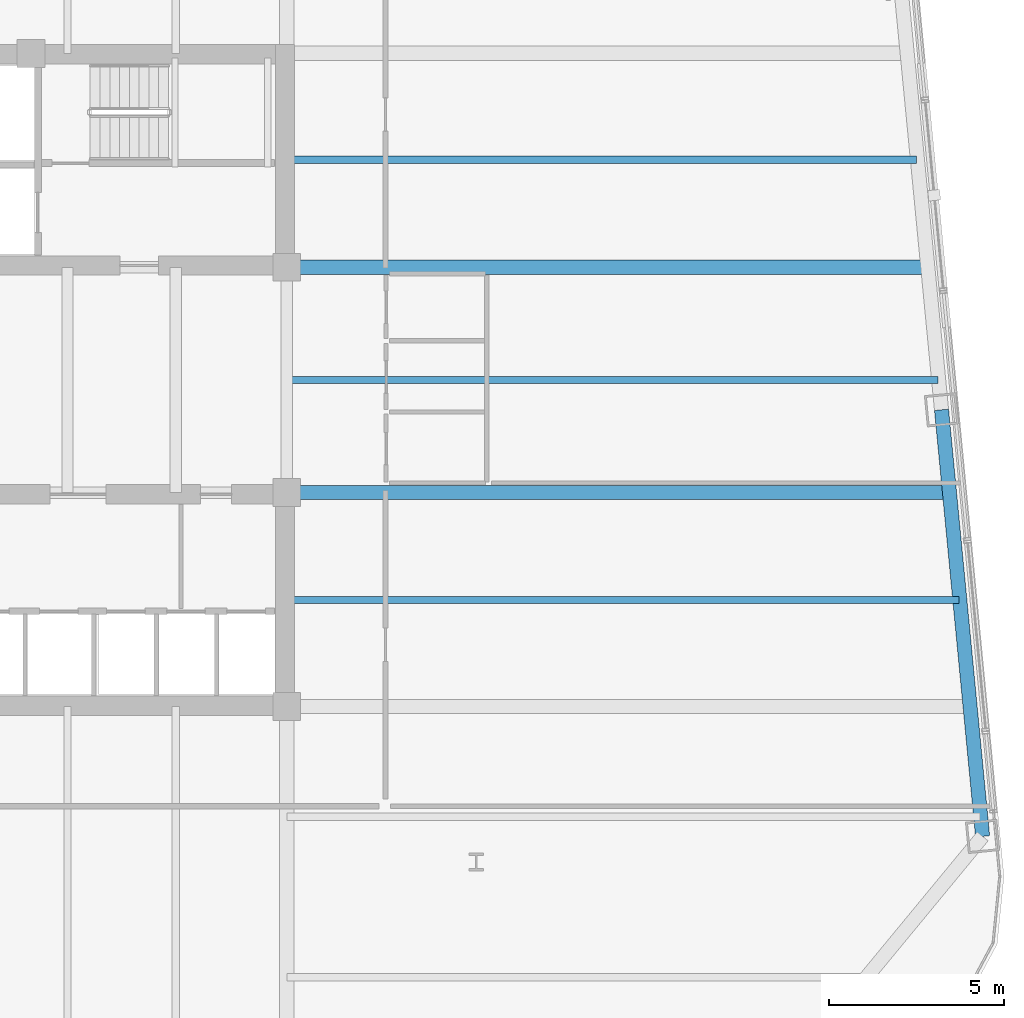
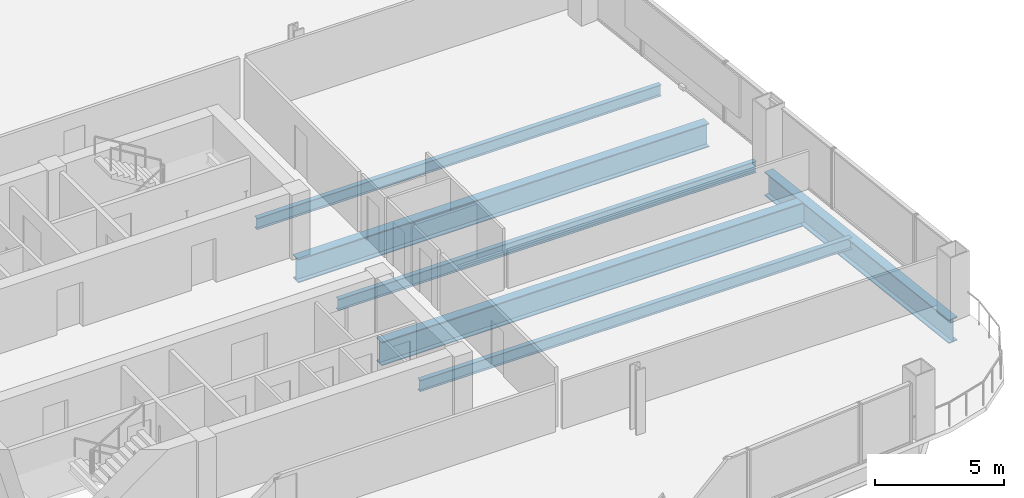
# One storey, part 12 of 26: 6 beams.
"""IFC4 building model written with IfcOpenShell, lengths in metres."""

from ifc_helpers import new_model, si_unit, direction, frame, origin, origin_2d, place, context, subcontext, project, spatial, i_section, extrude, material, material_profile, profile_set, type_object, element, save


model = new_model("IFC4")

# Units and contexts
model_context = context("Model", 3, precision=1e-05, world=origin(), true_north=direction((0.0, 1.0)))
body_context = subcontext(model_context, "Body", "Model", "MODEL_VIEW")
ifc_project = project(units=[si_unit("LENGTHUNIT", "METRE"), si_unit("AREAUNIT", "SQUARE_METRE"), si_unit("VOLUMEUNIT", "CUBIC_METRE"), si_unit("PLANEANGLEUNIT", "RADIAN"), si_unit("MASSUNIT", "GRAM", prefix="KILO")], contexts=[model_context])

# Site, building, storey
site_placement = place(None, origin())
site = spatial("IfcSite", under=ifc_project, at=site_placement, CompositionType="ELEMENT")
building_placement = place(site_placement, origin())
building = spatial("IfcBuilding", under=site, at=building_placement, Name="Qhalaya Broadcast Tower", CompositionType="ELEMENT")
storey_placement = place(building_placement, frame((0.0, 0.0, 72.5)))
storey = spatial("IfcBuildingStorey", under=building, at=storey_placement, Name="L20", CompositionType="ELEMENT", Elevation=72.5)

# Beams
ifc_material = material(Name="Structural Steel ASTM A992 Grade 50", Category="steel")
ifc_material_profile_1 = material_profile(ifc_material, i_section(OverallWidth=0.2099609375, OverallDepth=0.535888671875, WebThickness=0.010986328125, FlangeThickness=0.017333984375, at=origin_2d()), Name="W21X68")
ifc_profile_set_1 = profile_set([ifc_material_profile_1], Name="Structural Steel ASTM A992 Grade 50")
beam_type_1 = type_object("IfcBeamType", Name="Composite Floor Joist J02", PredefinedType="JOIST", material=ifc_profile_set_1)
beam_1_placement = place(storey_placement, frame((9.375, -5.699951171875, -0.488037109375), z_axis=(1.0, 0.0, 0.0), x_axis=(0.0, 1.0, 0.0)))
element("IfcBeam", 1, at=beam_1_placement, inside=storey, type_object=beam_type_1, Name="L20 J02 L20-JWE3E-1", PredefinedType="JOIST", context=body_context, shape_type="SweptSolid", body=[
    extrude(i_section(OverallWidth=0.2099609375, OverallDepth=0.535888671875, WebThickness=0.010986328125, FlangeThickness=0.017333984375, at=origin_2d()), origin(), (0.0, 0.0, 1.0), 19.24609375),
])
beam_2_placement = place(storey_placement, frame((9.375, 0.60009765625, -0.488037109375), z_axis=(1.0, 0.0, 0.0), x_axis=(0.0, 1.0, 0.0)))
element("IfcBeam", 2, at=beam_2_placement, inside=storey, type_object=beam_type_1, Name="L20 J02 L20-JWE4E-1", PredefinedType="JOIST", context=body_context, shape_type="SweptSolid", body=[
    extrude(i_section(OverallWidth=0.2099609375, OverallDepth=0.535888671875, WebThickness=0.010986328125, FlangeThickness=0.017333984375, at=origin_2d()), origin(), (0.0, 0.0, 1.0), 18.639404296875),
])
beam_3_placement = place(storey_placement, frame((9.375, 6.89990234375, -0.488037109375), z_axis=(1.0, 0.0, 0.0), x_axis=(0.0, 1.0, 0.0)))
element("IfcBeam", 3, at=beam_3_placement, inside=storey, type_object=beam_type_1, Name="L20 J02 L20-JWE5E-1", PredefinedType="JOIST", context=body_context, shape_type="SweptSolid", body=[
    extrude(i_section(OverallWidth=0.2099609375, OverallDepth=0.535888671875, WebThickness=0.010986328125, FlangeThickness=0.017333984375, at=origin_2d()), origin(), (0.0, 0.0, 1.0), 18.03271484375),
])
ifc_material_profile_2 = material_profile(ifc_material, i_section(OverallWidth=0.404052734375, OverallDepth=1.117919921875, WebThickness=0.026123046875, FlangeThickness=0.044921875, at=origin_2d()), Name="W44X335")
ifc_profile_set_2 = profile_set([ifc_material_profile_2], Name="Structural Steel ASTM A992 Grade 50")
beam_type_2 = type_object("IfcBeamType", Name="Podium Long-Span Primary Girder PG1", PredefinedType="USERDEFINED", material=ifc_profile_set_2)
beam_4_placement = place(storey_placement, frame((29.29248046875, -12.46533203125, -0.779052734375), z_axis=(-0.095831866369, 0.995397535354, 0.0), x_axis=(-0.995397535354, -0.095831866369, 0.0)))
element("IfcBeam", 4, at=beam_4_placement, inside=storey, type_object=beam_type_2, Name="L20 PG1 L20-SPR-05", ObjectType="GIRDER", PredefinedType="USERDEFINED", context=body_context, shape_type="SweptSolid", body=[
    extrude(i_section(OverallWidth=0.404052734375, OverallDepth=1.117919921875, WebThickness=0.026123046875, FlangeThickness=0.044921875, at=origin_2d()), origin(), (0.0, 0.0, 1.0), 12.2666015625),
])
beam_5_placement = place(storey_placement, frame((9.375, -2.625, -0.779052734375), z_axis=(1.0, 0.0, 0.0), x_axis=(0.0, 1.0, 0.0)))
element("IfcBeam", 5, at=beam_5_placement, inside=storey, type_object=beam_type_2, Name="L20 PG1 L20-PGYE2-1", ObjectType="GIRDER", PredefinedType="USERDEFINED", context=body_context, shape_type="SweptSolid", body=[
    extrude(i_section(OverallWidth=0.404052734375, OverallDepth=1.117919921875, WebThickness=0.026123046875, FlangeThickness=0.044921875, at=origin_2d()), origin(), (0.0, 0.0, 1.0), 18.949951171875),
])
beam_6_placement = place(storey_placement, frame((9.375, 3.824951171875, -0.779052734375), z_axis=(1.0, 0.0, 0.0), x_axis=(0.0, 1.0, 0.0)))
element("IfcBeam", 6, at=beam_6_placement, inside=storey, type_object=beam_type_2, Name="L20 PG1 L20-PGYE3-1", ObjectType="GIRDER", PredefinedType="USERDEFINED", context=body_context, shape_type="SweptSolid", body=[
    extrude(i_section(OverallWidth=0.404052734375, OverallDepth=1.117919921875, WebThickness=0.026123046875, FlangeThickness=0.044921875, at=origin_2d()), origin(), (0.0, 0.0, 1.0), 18.328857421875),
])

save(model, "model.ifc")
